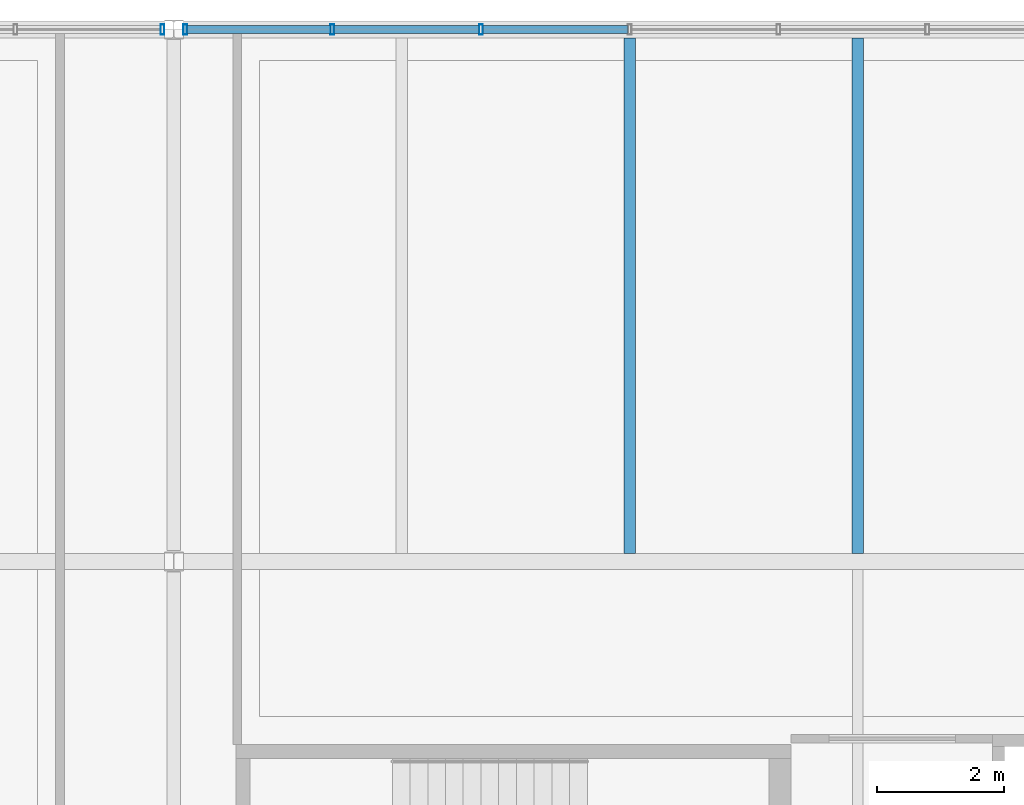
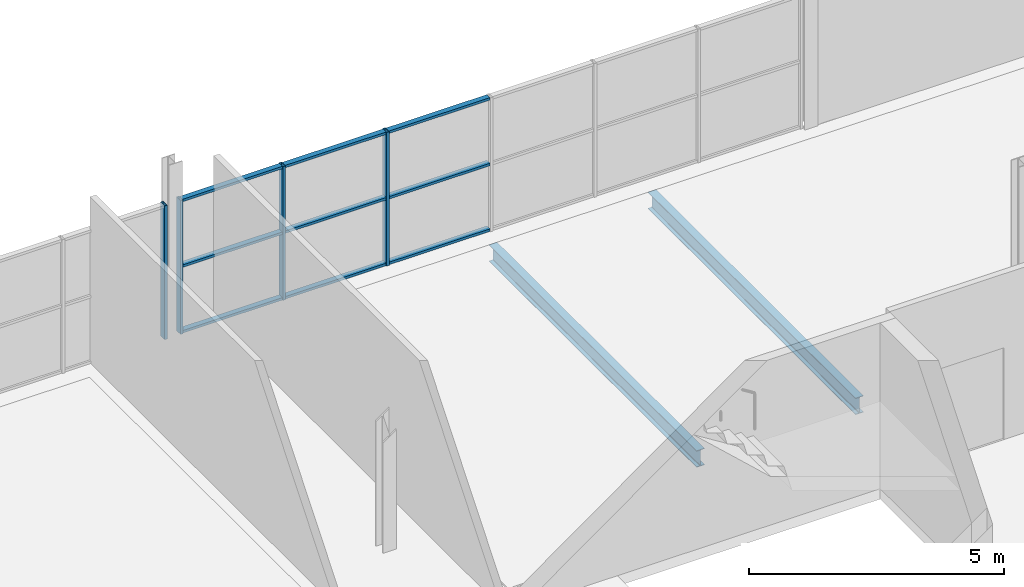
# One storey, part 46 of 68: 13 members, 2 beams, 2 elements without a shape of their own.
"""IFC4 building model written with IfcOpenShell, lengths in metres."""

from ifc_helpers import new_model, si_unit, direction, frame, origin, origin_2d, place, context, subcontext, project, spatial, hollow_rectangle, i_section, extrude, material, material_profile, profile_set, type_object, element, aggregate, save


model = new_model("IFC4")

# Units and contexts
model_context = context("Model", 3, precision=1e-05, world=origin(), true_north=direction((0.0, 1.0)))
body_context = subcontext(model_context, "Body", "Model", "MODEL_VIEW")
ifc_project = project(units=[si_unit("LENGTHUNIT", "METRE"), si_unit("AREAUNIT", "SQUARE_METRE"), si_unit("VOLUMEUNIT", "CUBIC_METRE"), si_unit("PLANEANGLEUNIT", "RADIAN"), si_unit("MASSUNIT", "GRAM", prefix="KILO"), si_unit("THERMODYNAMICTEMPERATUREUNIT", "KELVIN")], contexts=[model_context])

# Site, building, storey
site_placement = place(None, origin())
site = spatial("IfcSite", under=ifc_project, at=site_placement, CompositionType="ELEMENT")
building_placement = place(site_placement, origin())
building = spatial("IfcBuilding", under=site, at=building_placement, Name="Nduvali Passage Aquatics Centre", CompositionType="ELEMENT")
storey_placement = place(building_placement, frame((0.0, 0.0, 13.199951171875)))
storey = spatial("IfcBuildingStorey", under=building, at=storey_placement, Name="L03", CompositionType="ELEMENT", Elevation=13.199951171875)

# Curtain wall, member
ifc_material_1 = material(Name="Aluminium EN AW-6063 T6", Category="aluminium")
curtain_wall_type = type_object("IfcCurtainWallType", Name="ENV-CW-WELL", PredefinedType="NOTDEFINED", material=ifc_material_1)
curtain_wall_1_placement = place(storey_placement, origin())
curtain_wall_1 = element("IfcCurtainWall", 1, at=curtain_wall_1_placement, inside=storey, type_object=curtain_wall_type, Name="L03 North Avenue Teaching CW 110", PredefinedType="NOTDEFINED")
ifc_material_profile_1 = material_profile(ifc_material_1, hollow_rectangle(XDim=0.06005859375, YDim=0.159912109375, WallThickness=0.00390625, at=origin_2d()), Name="ALU MULLION 60x160x4")
ifc_profile_set_1 = profile_set([ifc_material_profile_1], Name="Aluminium EN AW-6063 T6")
member_type_1 = type_object("IfcMemberType", Name="ENV-MEM-MUL60", PredefinedType="MULLION", material=ifc_profile_set_1)
member_1_placement = place(storey_placement, frame((97.02001953125, 117.60009765625, 0.0), z_axis=(0.0, 0.0, 1.0), x_axis=(1.0, 0.0, 0.0)))
member_1 = element("IfcMember", 2, at=member_1_placement, type_object=member_type_1, Name="North Avenue Teaching CW Mullion 7", PredefinedType="MULLION", context=body_context, shape_type="SweptSolid", body=[
    extrude(hollow_rectangle(XDim=0.06005859375, YDim=0.159912109375, WallThickness=0.00390625, at=origin_2d()), origin(), (0.0, 0.0, 1.0), 3.203857421875),
])
aggregate(curtain_wall_1, [member_1])

# Curtain wall, members
curtain_wall_2_placement = place(storey_placement, origin())
curtain_wall_2 = element("IfcCurtainWall", 3, at=curtain_wall_2_placement, inside=storey, type_object=curtain_wall_type, Name="L03 North Avenue Teaching CW 114", PredefinedType="NOTDEFINED")
member_2_placement = place(storey_placement, frame((97.3798828125, 117.60009765625, 0.0), z_axis=(0.0, 0.0, 1.0), x_axis=(1.0, 0.0, 0.0)))
member_2 = element("IfcMember", 4, at=member_2_placement, type_object=member_type_1, Name="North Avenue Teaching CW Mullion 1", PredefinedType="MULLION", context=body_context, shape_type="SweptSolid", body=[
    extrude(hollow_rectangle(XDim=0.06005859375, YDim=0.159912109375, WallThickness=0.00390625, at=origin_2d()), origin(), (0.0, 0.0, 1.0), 3.203857421875),
])
member_3_placement = place(storey_placement, frame((99.699951171875, 117.60009765625, 0.0), z_axis=(0.0, 0.0, 1.0), x_axis=(1.0, 0.0, 0.0)))
member_3 = element("IfcMember", 5, at=member_3_placement, type_object=member_type_1, Name="North Avenue Teaching CW Mullion 2", PredefinedType="MULLION", context=body_context, shape_type="SweptSolid", body=[
    extrude(hollow_rectangle(XDim=0.06005859375, YDim=0.159912109375, WallThickness=0.00390625, at=origin_2d()), origin(), (0.0, 0.0, 1.0), 3.203857421875),
])
member_4_placement = place(storey_placement, frame((102.050048828125, 117.60009765625, 0.0), z_axis=(0.0, 0.0, 1.0), x_axis=(1.0, 0.0, 0.0)))
member_4 = element("IfcMember", 6, at=member_4_placement, type_object=member_type_1, Name="North Avenue Teaching CW Mullion 3", PredefinedType="MULLION", context=body_context, shape_type="SweptSolid", body=[
    extrude(hollow_rectangle(XDim=0.06005859375, YDim=0.159912109375, WallThickness=0.00390625, at=origin_2d()), origin(), (0.0, 0.0, 1.0), 3.203857421875),
])
ifc_material_profile_2 = material_profile(ifc_material_1, hollow_rectangle(XDim=0.1201171875, YDim=0.06005859375, WallThickness=0.00390625, at=origin_2d()), Name="ALU TRANSOM 120x60x4")
ifc_profile_set_2 = profile_set([ifc_material_profile_2], Name="Aluminium EN AW-6063 T6")
member_type_2 = type_object("IfcMemberType", Name="ENV-MEM-TRN60", PredefinedType="USERDEFINED", material=ifc_profile_set_2)
member_5_placement = place(storey_placement, frame((97.409912109375, 117.60009765625, 0.030029296875), z_axis=(1.0, 0.0, 0.0), x_axis=(0.0, 1.0, 0.0)))
member_5 = element("IfcMember", 7, at=member_5_placement, type_object=member_type_2, Name="North Avenue Teaching CW Transom B1-R0", ObjectType="TRANSOM", PredefinedType="USERDEFINED", context=body_context, shape_type="SweptSolid", body=[
    extrude(hollow_rectangle(XDim=0.1201171875, YDim=0.06005859375, WallThickness=0.00390625, at=origin_2d()), origin(), (0.0, 0.0, 1.0), 2.260009765625),
])
member_6_placement = place(storey_placement, frame((97.409912109375, 117.60009765625, 1.60205078125), z_axis=(1.0, 0.0, 0.0), x_axis=(0.0, 1.0, 0.0)))
member_6 = element("IfcMember", 8, at=member_6_placement, type_object=member_type_2, Name="North Avenue Teaching CW Transom B1-R1", ObjectType="TRANSOM", PredefinedType="USERDEFINED", context=body_context, shape_type="SweptSolid", body=[
    extrude(hollow_rectangle(XDim=0.1201171875, YDim=0.06005859375, WallThickness=0.00390625, at=origin_2d()), origin(), (0.0, 0.0, 1.0), 2.260009765625),
])
member_7_placement = place(storey_placement, frame((97.409912109375, 117.60009765625, 3.173828125), z_axis=(1.0, 0.0, 0.0), x_axis=(0.0, 1.0, 0.0)))
member_7 = element("IfcMember", 9, at=member_7_placement, type_object=member_type_2, Name="North Avenue Teaching CW Transom B1-R2", ObjectType="TRANSOM", PredefinedType="USERDEFINED", context=body_context, shape_type="SweptSolid", body=[
    extrude(hollow_rectangle(XDim=0.1201171875, YDim=0.06005859375, WallThickness=0.00390625, at=origin_2d()), origin(), (0.0, 0.0, 1.0), 2.260009765625),
])
member_8_placement = place(storey_placement, frame((99.72998046875, 117.60009765625, 0.030029296875), z_axis=(1.0, 0.0, 0.0), x_axis=(0.0, 1.0, 0.0)))
member_8 = element("IfcMember", 10, at=member_8_placement, type_object=member_type_2, Name="North Avenue Teaching CW Transom B2-R0", ObjectType="TRANSOM", PredefinedType="USERDEFINED", context=body_context, shape_type="SweptSolid", body=[
    extrude(hollow_rectangle(XDim=0.1201171875, YDim=0.06005859375, WallThickness=0.00390625, at=origin_2d()), origin(), (0.0, 0.0, 1.0), 2.2900390625),
])
member_9_placement = place(storey_placement, frame((99.72998046875, 117.60009765625, 1.60205078125), z_axis=(1.0, 0.0, 0.0), x_axis=(0.0, 1.0, 0.0)))
member_9 = element("IfcMember", 11, at=member_9_placement, type_object=member_type_2, Name="North Avenue Teaching CW Transom B2-R1", ObjectType="TRANSOM", PredefinedType="USERDEFINED", context=body_context, shape_type="SweptSolid", body=[
    extrude(hollow_rectangle(XDim=0.1201171875, YDim=0.06005859375, WallThickness=0.00390625, at=origin_2d()), origin(), (0.0, 0.0, 1.0), 2.2900390625),
])
member_10_placement = place(storey_placement, frame((99.72998046875, 117.60009765625, 3.173828125), z_axis=(1.0, 0.0, 0.0), x_axis=(0.0, 1.0, 0.0)))
member_10 = element("IfcMember", 12, at=member_10_placement, type_object=member_type_2, Name="North Avenue Teaching CW Transom B2-R2", ObjectType="TRANSOM", PredefinedType="USERDEFINED", context=body_context, shape_type="SweptSolid", body=[
    extrude(hollow_rectangle(XDim=0.1201171875, YDim=0.06005859375, WallThickness=0.00390625, at=origin_2d()), origin(), (0.0, 0.0, 1.0), 2.2900390625),
])
member_11_placement = place(storey_placement, frame((102.080078125, 117.60009765625, 0.030029296875), z_axis=(1.0, 0.0, 0.0), x_axis=(0.0, 1.0, 0.0)))
member_11 = element("IfcMember", 13, at=member_11_placement, type_object=member_type_2, Name="North Avenue Teaching CW Transom B3-R0", ObjectType="TRANSOM", PredefinedType="USERDEFINED", context=body_context, shape_type="SweptSolid", body=[
    extrude(hollow_rectangle(XDim=0.1201171875, YDim=0.06005859375, WallThickness=0.00390625, at=origin_2d()), origin(), (0.0, 0.0, 1.0), 2.2900390625),
])
member_12_placement = place(storey_placement, frame((102.080078125, 117.60009765625, 1.60205078125), z_axis=(1.0, 0.0, 0.0), x_axis=(0.0, 1.0, 0.0)))
member_12 = element("IfcMember", 14, at=member_12_placement, type_object=member_type_2, Name="North Avenue Teaching CW Transom B3-R1", ObjectType="TRANSOM", PredefinedType="USERDEFINED", context=body_context, shape_type="SweptSolid", body=[
    extrude(hollow_rectangle(XDim=0.1201171875, YDim=0.06005859375, WallThickness=0.00390625, at=origin_2d()), origin(), (0.0, 0.0, 1.0), 2.2900390625),
])
member_13_placement = place(storey_placement, frame((102.080078125, 117.60009765625, 3.173828125), z_axis=(1.0, 0.0, 0.0), x_axis=(0.0, 1.0, 0.0)))
member_13 = element("IfcMember", 15, at=member_13_placement, type_object=member_type_2, Name="North Avenue Teaching CW Transom B3-R2", ObjectType="TRANSOM", PredefinedType="USERDEFINED", context=body_context, shape_type="SweptSolid", body=[
    extrude(hollow_rectangle(XDim=0.1201171875, YDim=0.06005859375, WallThickness=0.00390625, at=origin_2d()), origin(), (0.0, 0.0, 1.0), 2.2900390625),
])
aggregate(curtain_wall_2, [member_2, member_3, member_4, member_5, member_6, member_7, member_8, member_9, member_10, member_11, member_12, member_13])

# Beams
ifc_material_2 = material(Name="Steel S355", Category="steel")
ifc_material_profile_3 = material_profile(ifc_material_2, i_section(OverallWidth=0.179931640625, OverallDepth=0.39990234375, WebThickness=0.008544921875, FlangeThickness=0.013427734375, FilletRadius=0.02099609375, at=origin_2d()), Name="IPE 400")
ifc_profile_set_3 = profile_set([ifc_material_profile_3], Name="Steel S355")
beam_type = type_object("IfcBeamType", Name="STR-JST-IPE400", PredefinedType="JOIST", material=ifc_profile_set_3)
for number, where, z_axis, x_axis, name in (
    (16, (104.39990234375, 109.326904296875, -0.453857421875), (0.0, 1.0, 0.0), (-1.0, 0.0, 0.0), "L03 Secondary Joist J5-1316"),
    (17, (108.0, 109.326904296875, -0.453857421875), (0.0, 1.0, 0.0), (-1.0, 0.0, 0.0), "L03 Secondary Joist J5-1317"),
):
    element("IfcBeam", number, at=place(storey_placement, frame(where, z_axis=z_axis, x_axis=x_axis)), inside=storey, type_object=beam_type, Name=name, PredefinedType="JOIST", context=body_context, shape_type="SweptSolid", body=[
        extrude(i_section(OverallWidth=0.179931640625, OverallDepth=0.39990234375, WebThickness=0.008544921875, FlangeThickness=0.013427734375, FilletRadius=0.02099609375, at=origin_2d()), origin(), (0.0, 0.0, 1.0), 8.139892578125),
    ])

save(model, "model.ifc")
